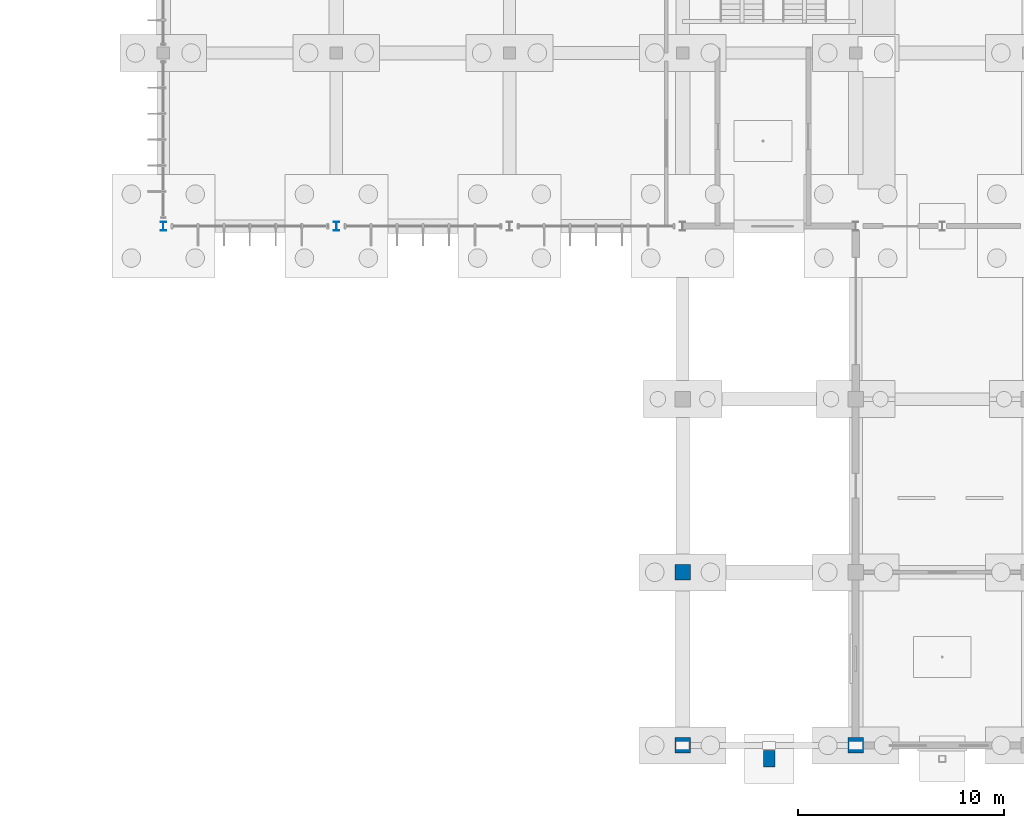
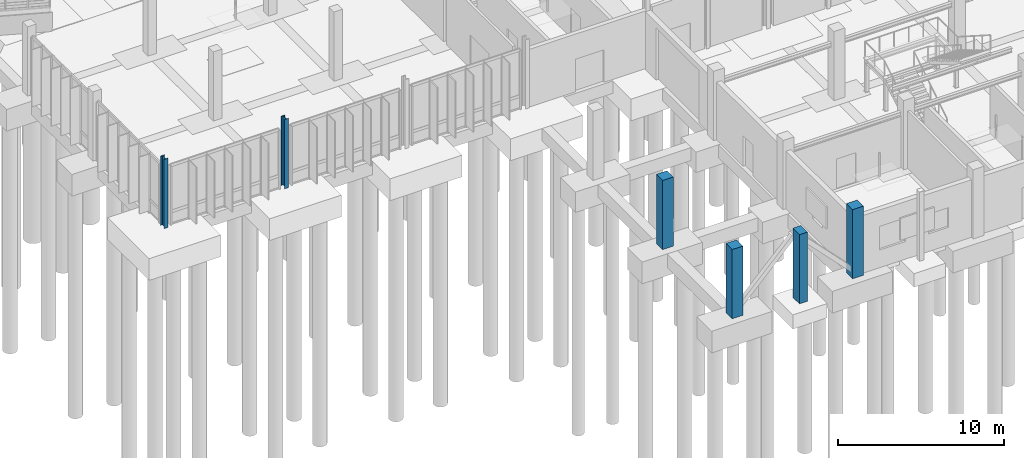
# One storey, part 9 of 119: 6 columns.
"""IFC4 building model written with IfcOpenShell, lengths in metres."""

from ifc_helpers import new_model, si_unit, derived_unit, direction, frame, origin, origin_2d, place, context, subcontext, project, spatial, rectangle, i_section, extrude, material, material_profile, profile_set, type_object, element, save


model = new_model("IFC4")

# Units and contexts
model_context = context("Model", 3, precision=1e-05, world=origin(), true_north=direction((0.0, 1.0)))
body_context = subcontext(model_context, "Body", "Model", "MODEL_VIEW")
ifc_project = project(units=[si_unit("LENGTHUNIT", "METRE"), si_unit("AREAUNIT", "SQUARE_METRE"), si_unit("VOLUMEUNIT", "CUBIC_METRE"), si_unit("PLANEANGLEUNIT", "RADIAN"), si_unit("MASSUNIT", "GRAM", prefix="KILO"), derived_unit("THERMALTRANSMITTANCEUNIT", [(si_unit("MASSUNIT", "GRAM", prefix="KILO"), 1), (si_unit("TIMEUNIT", "SECOND"), -3), (si_unit("THERMODYNAMICTEMPERATUREUNIT", "KELVIN"), -1)])], contexts=[model_context])

# Site, building, storey
site_placement = place(None, origin())
site = spatial("IfcSite", under=ifc_project, at=site_placement, CompositionType="ELEMENT")
building_placement = place(site_placement, origin())
building = spatial("IfcBuilding", under=site, at=building_placement, Name="Makaiwela Harbour Ferry Terminal", CompositionType="ELEMENT")
storey_placement = place(building_placement, origin())
storey = spatial("IfcBuildingStorey", under=building, at=storey_placement, Name="L00", CompositionType="ELEMENT", Elevation=0.0)

# Columns
ifc_material_1 = material(Name="Concrete f'c 45 MPa (6500 psi)", Category="concrete")
ifc_material_profile_1 = material_profile(ifc_material_1, rectangle(XDim=0.75, YDim=0.75, at=origin_2d()), Name="RC-750X750")
ifc_profile_set_1 = profile_set([ifc_material_profile_1], Name="Concrete f'c 45 MPa (6500 psi)")
column_type_1 = type_object("IfcColumnType", Name="STR-COL-RC750", PredefinedType="COLUMN", material=ifc_profile_set_1)
for number, where, z_axis, x_axis, name in (
    (1, (54.60009765625, 0.0, 0.0), (0.0, 0.0, 1.0), (1.0, 0.0, 0.0), "Structural Column C-08"),
    (2, (54.60009765625, 8.39990234375, 0.0), (0.0, 0.0, 1.0), (1.0, 0.0, 0.0), "Structural Column C-08"),
    (3, (63.0, 0.0, 0.0), (0.0, 0.0, 1.0), (1.0, 0.0, 0.0), "Structural Column C-08"),
):
    element("IfcColumn", number, at=place(storey_placement, frame(where, z_axis=z_axis, x_axis=x_axis)), inside=storey, type_object=column_type_1, Name=name, PredefinedType="COLUMN", context=body_context, shape_type="SweptSolid", body=[
        extrude(rectangle(XDim=0.75, YDim=0.75, at=origin_2d()), origin(), (0.0, 0.0, 1.0), 5.10009765625),
    ])
ifc_material_2 = material(Name="Steel ASTM A992 Grade 50", Category="steel")
ifc_material_profile_2 = material_profile(ifc_material_2, i_section(OverallWidth=0.264892578125, OverallDepth=0.430908203125, WebThickness=0.014892578125, FlangeThickness=0.02490234375, at=origin_2d()), Name="W16X100")
ifc_profile_set_2 = profile_set([ifc_material_profile_2], Name="Steel ASTM A992 Grade 50")
column_type_2 = type_object("IfcColumnType", Name="STR-COL-W16X100", PredefinedType="COLUMN", material=ifc_profile_set_2)
for number, where, z_axis, x_axis, name in (
    (4, (29.39990234375, 25.199951171875, 0.0), (0.0, 0.0, 1.0), (1.0, 0.0, 0.0), "Structural Column C-03"),
    (5, (37.800048828125, 25.199951171875, 0.0), (0.0, 0.0, 1.0), (1.0, 0.0, 0.0), "Structural Column C-03"),
):
    element("IfcColumn", number, at=place(storey_placement, frame(where, z_axis=z_axis, x_axis=x_axis)), inside=storey, type_object=column_type_2, Name=name, PredefinedType="COLUMN", context=body_context, shape_type="SweptSolid", body=[
        extrude(i_section(OverallWidth=0.264892578125, OverallDepth=0.430908203125, WebThickness=0.014892578125, FlangeThickness=0.02490234375, at=origin_2d()), origin(), (0.0, 0.0, 1.0), 5.10009765625),
    ])
ifc_material_profile_3 = material_profile(ifc_material_1, rectangle(XDim=0.550048828125, YDim=0.800048828125, at=origin_2d()), Name="RC-800X550")
ifc_profile_set_3 = profile_set([ifc_material_profile_3], Name="Concrete f'c 45 MPa (6500 psi)")
column_type_3 = type_object("IfcColumnType", Name="STR-PIL-RC800", PredefinedType="PILASTER", material=ifc_profile_set_3)
column_placement = place(storey_placement, frame((58.800048828125, -0.64990234375, 0.0), z_axis=(0.0, 0.0, 1.0), x_axis=(1.0, 0.0, 0.0)))
element("IfcColumn", 6, at=column_placement, inside=storey, type_object=column_type_3, Name="Structural Column PL-01", PredefinedType="PILASTER", context=body_context, shape_type="SweptSolid", body=[
    extrude(rectangle(XDim=0.550048828125, YDim=0.800048828125, at=origin_2d()), origin(), (0.0, 0.0, 1.0), 5.10009765625),
])

save(model, "model.ifc")
